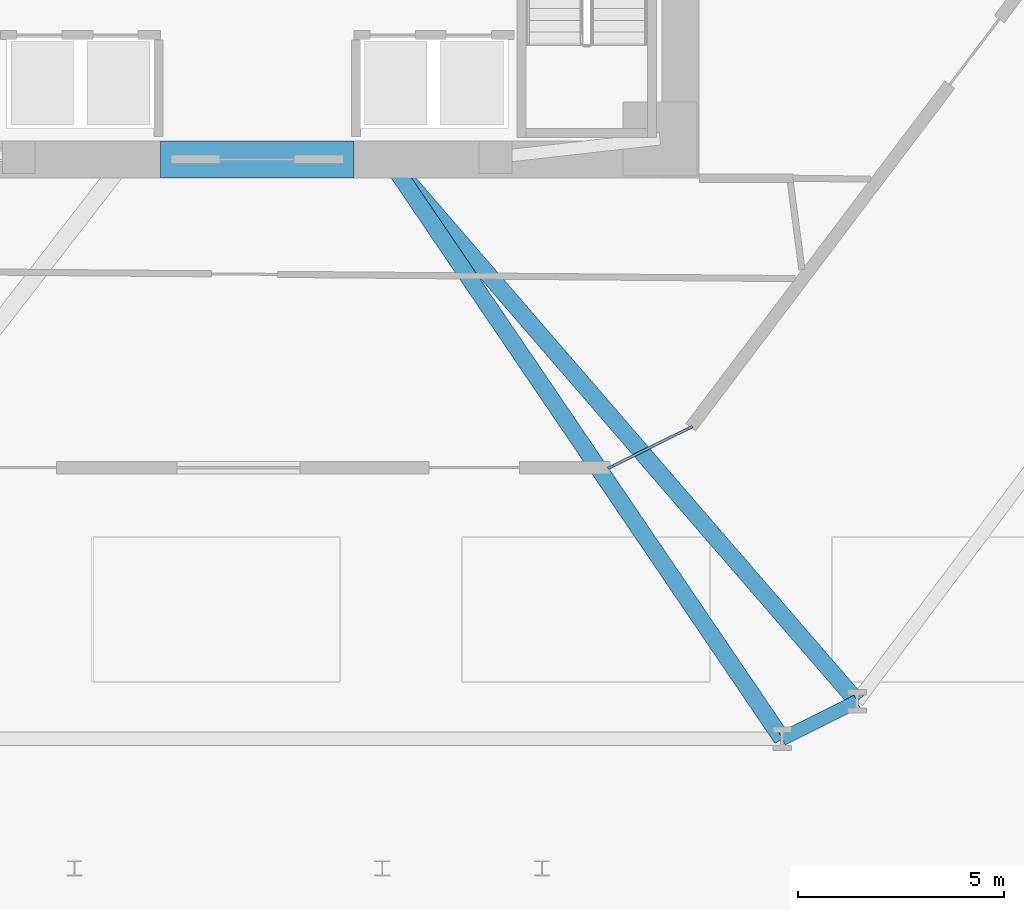
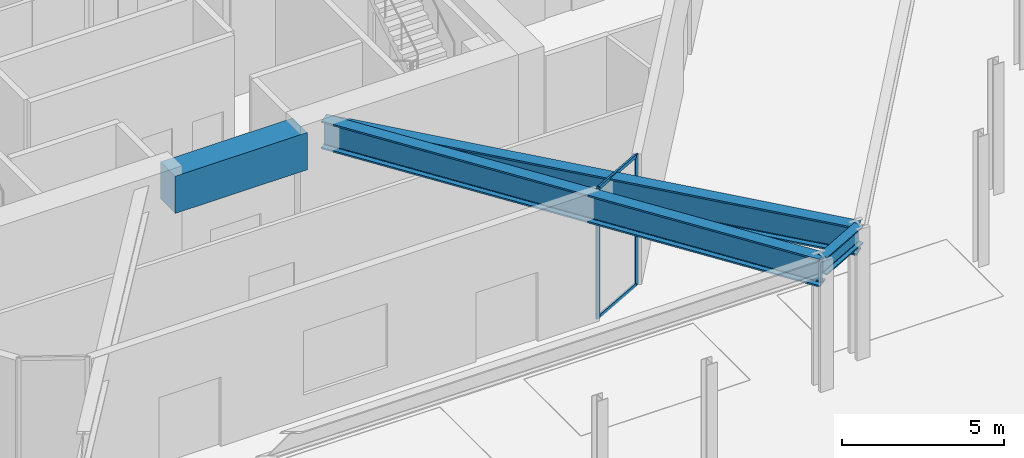
# One storey, part 7 of 18: 4 beams, 4 members, 1 element without a shape of its own.
"""IFC4 building model written with IfcOpenShell, lengths in metres."""

from ifc_helpers import new_model, si_unit, direction, frame, origin, origin_2d, place, context, subcontext, project, spatial, rectangle, i_section, extrude, source, transform, mapped, material, layer, layer_set, material_profile, profile_set, type_object, type_shapes, element, aggregate, save


model = new_model("IFC4")

# Units and contexts
model_context = context("Model", 3, precision=1e-05, world=origin(), true_north=direction((0.0, 1.0)))
body_context = subcontext(model_context, "Body", "Model", "MODEL_VIEW")
ifc_project = project(units=[si_unit("LENGTHUNIT", "METRE"), si_unit("AREAUNIT", "SQUARE_METRE"), si_unit("VOLUMEUNIT", "CUBIC_METRE"), si_unit("PLANEANGLEUNIT", "RADIAN"), si_unit("MASSUNIT", "GRAM", prefix="KILO")], contexts=[model_context])

# Site, building, storey
site_placement = place(None, origin())
site = spatial("IfcSite", under=ifc_project, at=site_placement, CompositionType="ELEMENT")
building_placement = place(site_placement, origin())
building = spatial("IfcBuilding", under=site, at=building_placement, Name="Durnholm Broadcast Tower", CompositionType="ELEMENT")
storey_placement = place(building_placement, origin())
storey = spatial("IfcBuildingStorey", under=building, at=storey_placement, Name="L00", CompositionType="ELEMENT", Elevation=0.0)

# Beams
ifc_material_1 = material(Name="Concrete C70/85", Category="concrete")
ifc_material_profile_1 = material_profile(ifc_material_1, rectangle(XDim=0.89990234375, YDim=1.39990234375, at=origin_2d()), Name="RC900X1400")
ifc_profile_set_1 = profile_set([ifc_material_profile_1], Name="Concrete C70/85")
beam_type_1 = type_object("IfcBeamType", Name="BM-CB-RC1400", PredefinedType="LINTEL", material=ifc_profile_set_1)
shared_shape_1 = source(origin(), body_context, "Body", "SweptSolid", [
    extrude(rectangle(XDim=0.89990234375, YDim=1.39990234375, at=origin_2d()), origin(), (0.0, 0.0, 1.0), 4.7001953125),
])
type_shapes(beam_type_1, [shared_shape_1])
beam_1_placement = place(storey_placement, frame((-2.35009765625, -8.300048828125, 4.195068359375), z_axis=(1.0, 0.0, 0.0), x_axis=(0.0, 1.0, 0.0)))
element("IfcBeam", 1, at=beam_1_placement, inside=storey, type_object=beam_type_1, Name="L00 south core coupling lintel beam CB-S", PredefinedType="LINTEL", context=body_context, shape_type="MappedRepresentation", body=[
    mapped(shared_shape_1, transform((0.0, 0.0, 0.0), x_axis=(1.0, 0.0, 0.0), y_axis=(0.0, 1.0, 0.0), z_axis=(0.0, 0.0, 1.0), scale=1.0)),
])
ifc_material_2 = material(Name="Steel ASTM A992 Grade 50", Category="steel")
ifc_material_profile_2 = material_profile(ifc_material_2, i_section(OverallWidth=0.3330078125, OverallDepth=0.660888671875, WebThickness=0.0244140625, FlangeThickness=0.0439453125, FilletRadius=0.02783203125, at=origin_2d()), Name="W24X229")
ifc_profile_set_2 = profile_set([ifc_material_profile_2], Name="Steel ASTM A992 Grade 50")
beam_type_2 = type_object("IfcBeamType", Name="STL-SP-W24X229", PredefinedType="SPANDREL", material=ifc_profile_set_2)
shared_shape_2 = source(origin(), body_context, "Body", "SweptSolid", [
    extrude(i_section(OverallWidth=0.3330078125, OverallDepth=0.660888671875, WebThickness=0.0244140625, FlangeThickness=0.0439453125, FilletRadius=0.02783203125, at=origin_2d()), origin(), (0.0, 0.0, 1.0), 2.0380859375),
])
type_shapes(beam_type_2, [shared_shape_2])
beam_2_placement = place(storey_placement, frame((14.594482421875, -21.487548828125, 4.5546875), z_axis=(-0.894211470078, -0.447644777452, 0.0), x_axis=(0.447644777452, -0.894211470078, 0.0)))
element("IfcBeam", 2, at=beam_2_placement, inside=storey, type_object=beam_type_2, Name="L00 perimeter spandrel girder 10", PredefinedType="SPANDREL", context=body_context, shape_type="MappedRepresentation", body=[
    mapped(shared_shape_2, transform((0.0, 0.0, 0.0), x_axis=(1.0, 0.0, 0.0), y_axis=(0.0, 1.0, 0.0), z_axis=(0.0, 0.0, 1.0), scale=1.0)),
])
ifc_material_profile_3 = material_profile(ifc_material_2, i_section(OverallWidth=0.412109375, OverallDepth=1.048095703125, WebThickness=0.033935546875, FlangeThickness=0.059814453125, FilletRadius=0.04052734375, at=origin_2d()), Name="W40X431")
ifc_profile_set_3 = profile_set([ifc_material_profile_3], Name="Steel ASTM A992 Grade 50")
beam_type_3 = type_object("IfcBeamType", Name="STL-TG-W40X431", PredefinedType="USERDEFINED", material=ifc_profile_set_3)
shared_shape_3 = source(origin(), body_context, "Body", "SweptSolid", [
    extrude(i_section(OverallWidth=0.412109375, OverallDepth=1.048095703125, WebThickness=0.033935546875, FlangeThickness=0.059814453125, FilletRadius=0.04052734375, at=origin_2d()), origin(), (0.0, 0.0, 1.0), 17.42822265625),
])
beam_3_placement = place(storey_placement, frame((3.199951171875, -8.300048828125, 4.361083984375), z_axis=(0.653794915042, -0.756671797456, 0.0), x_axis=(0.756671797456, 0.653794915042, 0.0)))
element("IfcBeam", 3, at=beam_3_placement, inside=storey, type_object=beam_type_3, Name="L00 radial primary floor girder 10", ObjectType="GIRDER", PredefinedType="USERDEFINED", context=body_context, shape_type="MappedRepresentation", body=[
    mapped(shared_shape_3, transform((0.0, 0.0, 0.0), x_axis=(1.0, 0.0, 0.0), y_axis=(0.0, 1.0, 0.0), z_axis=(0.0, 0.0, 1.0), scale=1.0)),
])
shared_shape_4 = source(origin(), body_context, "Body", "SweptSolid", [
    extrude(i_section(OverallWidth=0.412109375, OverallDepth=1.048095703125, WebThickness=0.033935546875, FlangeThickness=0.059814453125, FilletRadius=0.04052734375, at=origin_2d()), origin(), (0.0, 0.0, 1.0), 17.0419921875),
])
type_shapes(beam_type_3, [shared_shape_3, shared_shape_4])
beam_4_placement = place(storey_placement, frame((3.199951171875, -8.300048828125, 4.361083984375), z_axis=(0.561672715675, -0.827359511015, 0.0), x_axis=(0.827359511015, 0.561672715675, 0.0)))
element("IfcBeam", 4, at=beam_4_placement, inside=storey, type_object=beam_type_3, Name="L00 radial primary floor girder 11", ObjectType="GIRDER", PredefinedType="USERDEFINED", context=body_context, shape_type="MappedRepresentation", body=[
    mapped(shared_shape_4, transform((0.0, 0.0, 0.0), x_axis=(1.0, 0.0, 0.0), y_axis=(0.0, 1.0, 0.0), z_axis=(0.0, 0.0, 1.0), scale=1.0)),
])

# Curtain wall, members
ifc_material_3 = material(Name="Aluminium and Solar Control IGU", Category="aluminium")
ifc_layer = layer(ifc_material_3, 0.1650390625)
ifc_layer_set = layer_set([ifc_layer], Name="Aluminium and Solar Control IGU")
curtain_wall_type = type_object("IfcCurtainWallType", Name="CW-SYS-5", PredefinedType="NOTDEFINED", material=ifc_layer_set)
curtain_wall_placement = place(storey_placement, origin())
curtain_wall = element("IfcCurtainWall", 5, at=curtain_wall_placement, inside=storey, type_object=curtain_wall_type, Name="L00 curtain wall CW-CORNER CW-L00-CRN-09", PredefinedType="NOTDEFINED")
ifc_material_4 = material(Name="Aluminium 6063-T6", Category="aluminium")
ifc_material_profile_4 = material_profile(ifc_material_4, rectangle(XDim=0.06494140625, YDim=0.1650390625, at=origin_2d()), Name="CWM65X165")
ifc_profile_set_4 = profile_set([ifc_material_profile_4], Name="Aluminium 6063-T6")
member_type_1 = type_object("IfcMemberType", Name="CW-SYS-5-MUL", PredefinedType="MULLION", material=ifc_profile_set_4)
shared_shape_5 = source(origin(), body_context, "Body", "SweptSolid", [
    extrude(rectangle(XDim=0.06494140625, YDim=0.1650390625, at=origin_2d()), origin(), (0.0, 0.0, 1.0), 4.89990234375),
])
type_shapes(member_type_1, [shared_shape_5])
member_1_placement = place(storey_placement, frame((10.519287109375, -14.834228515625, 0.0), z_axis=(0.0, 0.0, 1.0), x_axis=(0.445558237379, -0.895252957048, 0.0)))
member_1 = element("IfcMember", 6, at=member_1_placement, type_object=member_type_1, Name="CW-CORNER mullion 1", PredefinedType="MULLION", context=body_context, shape_type="MappedRepresentation", body=[
    mapped(shared_shape_5, transform((0.0, 0.0, 0.0), x_axis=(1.0, 0.0, 0.0), y_axis=(0.0, 1.0, 0.0), z_axis=(0.0, 0.0, 1.0), scale=1.0)),
])
member_2_placement = place(storey_placement, frame((8.608154296875, -15.785400390625, 0.0), z_axis=(0.0, 0.0, 1.0), x_axis=(0.445558237379, -0.895252957048, 0.0)))
member_2 = element("IfcMember", 7, at=member_2_placement, type_object=member_type_1, Name="CW-CORNER mullion 2", PredefinedType="MULLION", context=body_context, shape_type="MappedRepresentation", body=[
    mapped(shared_shape_5, transform((0.0, 0.0, 0.0), x_axis=(1.0, 0.0, 0.0), y_axis=(0.0, 1.0, 0.0), z_axis=(0.0, 0.0, 1.0), scale=1.0)),
])
ifc_material_profile_5 = material_profile(ifc_material_4, rectangle(XDim=0.06494140625, YDim=0.1298828125, at=origin_2d()), Name="CWT65X130")
ifc_profile_set_5 = profile_set([ifc_material_profile_5], Name="Aluminium 6063-T6")
member_type_2 = type_object("IfcMemberType", Name="CW-SYS-5-TRN", PredefinedType="USERDEFINED", material=ifc_profile_set_5)
shared_shape_6 = source(origin(), body_context, "Body", "SweptSolid", [
    extrude(rectangle(XDim=0.06494140625, YDim=0.1298828125, at=origin_2d()), origin(), (0.0, 0.0, 1.0), 2.06982421875),
])
type_shapes(member_type_2, [shared_shape_6])
member_3_placement = place(storey_placement, frame((10.490234375, -14.848876953125, 0.032470703125), z_axis=(-0.895274850789, -0.44551424393, 0.0), x_axis=(0.44551424393, -0.895274850789, 0.0)))
member_3 = element("IfcMember", 8, at=member_3_placement, type_object=member_type_2, Name="CW-CORNER transom 1.1", ObjectType="TRANSOM", PredefinedType="USERDEFINED", context=body_context, shape_type="MappedRepresentation", body=[
    mapped(shared_shape_6, transform((0.0, 0.0, 0.0), x_axis=(1.0, 0.0, 0.0), y_axis=(0.0, 1.0, 0.0), z_axis=(0.0, 0.0, 1.0), scale=1.0)),
])
member_4_placement = place(storey_placement, frame((10.490234375, -14.848876953125, 4.867431640625), z_axis=(-0.895274850789, -0.44551424393, 0.0), x_axis=(0.44551424393, -0.895274850789, 0.0)))
member_4 = element("IfcMember", 9, at=member_4_placement, type_object=member_type_2, Name="CW-CORNER transom 1.2", ObjectType="TRANSOM", PredefinedType="USERDEFINED", context=body_context, shape_type="MappedRepresentation", body=[
    mapped(shared_shape_6, transform((0.0, 0.0, 0.0), x_axis=(1.0, 0.0, 0.0), y_axis=(0.0, 1.0, 0.0), z_axis=(0.0, 0.0, 1.0), scale=1.0)),
])
aggregate(curtain_wall, [member_1, member_2, member_3, member_4])

save(model, "model.ifc")
